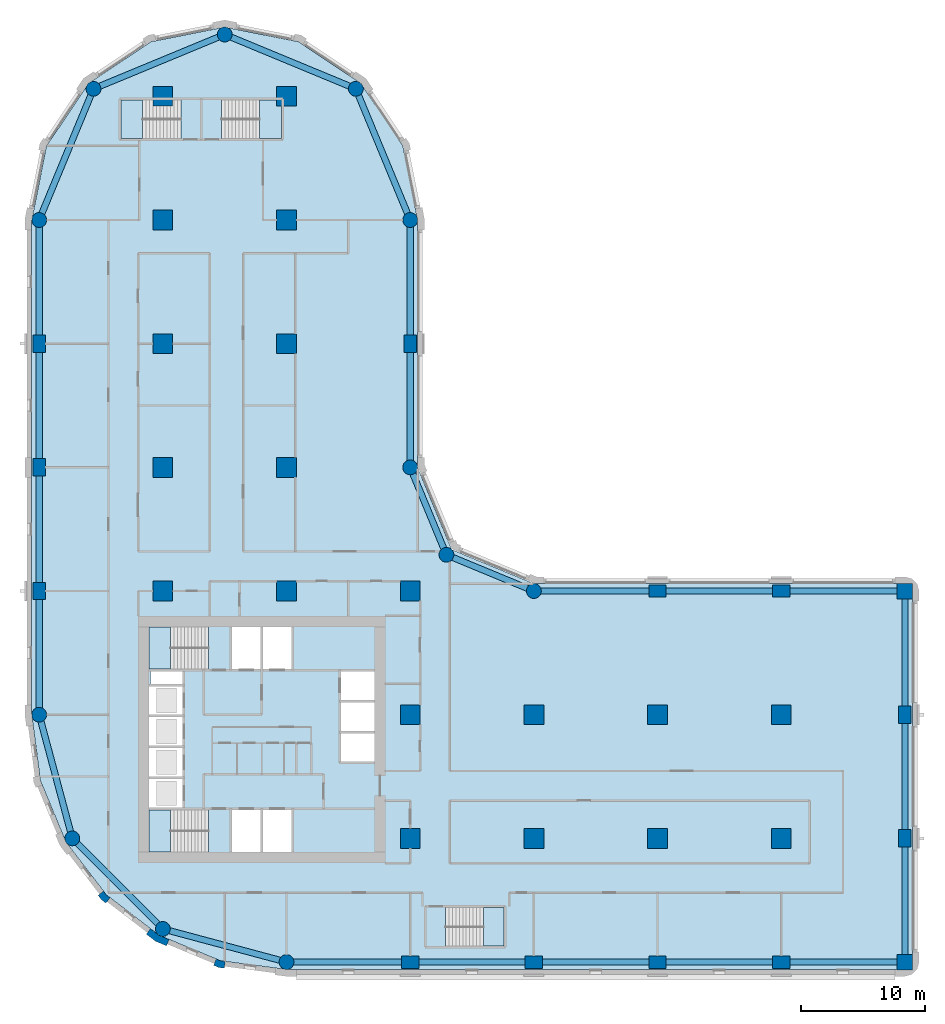
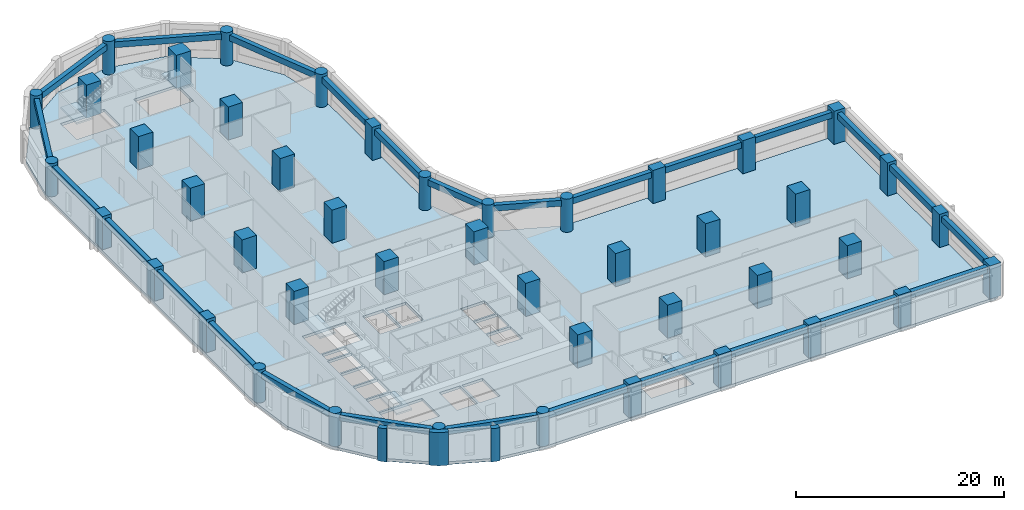
# One storey, part 1 of 10: 45 columns, 26 beams, 6 slabs, 3 walls, 5 elements without a shape of their own.
"""IFC4 building model written with IfcOpenShell, lengths in metres."""

from ifc_helpers import new_model, si_unit, direction, frame, origin, origin_2d, place, context, subcontext, project, spatial, polyline, rectangle, circle, outline, extrude, material, layer, layer_set, material_profile, profile_set, type_object, element, aggregate, save


model = new_model("IFC4")

# Units and contexts
model_context = context("Model", 3, precision=1e-05, world=origin(), true_north=direction((0.0, 1.0)))
body_context = subcontext(model_context, "Body", "Model", "MODEL_VIEW")
ifc_project = project(units=[si_unit("LENGTHUNIT", "METRE"), si_unit("AREAUNIT", "SQUARE_METRE"), si_unit("VOLUMEUNIT", "CUBIC_METRE"), si_unit("PLANEANGLEUNIT", "RADIAN"), si_unit("MASSUNIT", "GRAM", prefix="KILO")], contexts=[model_context])

# Site, building, storey
site_placement = place(None, origin())
site = spatial("IfcSite", under=ifc_project, at=site_placement, CompositionType="ELEMENT")
building_placement = place(site_placement, origin())
building = spatial("IfcBuilding", under=site, at=building_placement, Name="Qaws Garden Tower", CompositionType="ELEMENT")
storey_placement = place(building_placement, frame((0.0, 0.0, 97.800048828125)))
storey = spatial("IfcBuildingStorey", under=building, at=storey_placement, Name="L24", CompositionType="ELEMENT", Elevation=97.800048828125)

# Columns
ifc_material_1 = material(Name="Concrete C80", Category="concrete")
ifc_material_profile_1 = material_profile(ifc_material_1, rectangle(XDim=1.25, YDim=1.25, at=origin_2d()), Name="RC 1250x1250")
ifc_profile_set_1 = profile_set([ifc_material_profile_1], Name="Concrete C80")
column_type_1 = type_object("IfcColumnType", Name="Column RC 1250x1250 C80", PredefinedType="COLUMN", material=ifc_profile_set_1)
for number, where, z_axis, x_axis, name in (
    (1, (70.0, 0.0, 0.0), (0.0, 0.0, 1.0), (1.0, 0.0, 0.0), "Column L24-006"),
    (2, (70.0, 30.0, 0.0), (0.0, 0.0, 1.0), (1.0, 0.0, 0.0), "Column L24-009"),
):
    element("IfcColumn", number, at=place(storey_placement, frame(where, z_axis=z_axis, x_axis=x_axis)), inside=storey, type_object=column_type_1, Name=name, PredefinedType="COLUMN", context=body_context, shape_type="SweptSolid", body=[
        extrude(rectangle(XDim=1.25, YDim=1.25, at=origin_2d()), origin(), (0.0, 0.0, 1.0), 3.89990234375),
    ])
ifc_material_2 = material(Name="Concrete C80", Category="concrete")
ifc_material_profile_2 = material_profile(ifc_material_2, rectangle(XDim=1.39990234375, YDim=1.0, at=origin_2d()), Name="RC 1400x1000")
ifc_profile_set_2 = profile_set([ifc_material_profile_2], Name="Concrete C80")
column_type_2 = type_object("IfcColumnType", Name="Column RC 1400x1000 C80", PredefinedType="COLUMN", material=ifc_profile_set_2)
for number, where, z_axis, x_axis, name in (
    (3, (30.0, 0.0, 0.0), (0.0, 0.0, 1.0), (1.0, 0.0, 0.0), "Column L24-002"),
    (4, (40.0, 0.0, 0.0), (0.0, 0.0, 1.0), (1.0, 0.0, 0.0), "Column L24-003"),
    (5, (50.0, 0.0, 0.0), (0.0, 0.0, 1.0), (1.0, 0.0, 0.0), "Column L24-004"),
    (6, (60.0, 0.0, 0.0), (0.0, 0.0, 1.0), (1.0, 0.0, 0.0), "Column L24-005"),
    (7, (70.0, 10.0, 0.0), (0.0, 0.0, 1.0), (0.0, 1.0, 0.0), "Column L24-007"),
    (8, (70.0, 20.0, 0.0), (0.0, 0.0, 1.0), (0.0, 1.0, 0.0), "Column L24-008"),
    (9, (60.0, 30.0, 0.0), (0.0, 0.0, 1.0), (1.0, 0.0, 0.0), "Column L24-010"),
    (10, (50.0, 30.0, 0.0), (0.0, 0.0, 1.0), (1.0, 0.0, 0.0), "Column L24-011"),
    (11, (30.0, 50.0, 0.0), (0.0, 0.0, 1.0), (0.0, 1.0, 0.0), "Column L24-015"),
    (12, (0.0, 50.0, 0.0), (0.0, 0.0, 1.0), (0.0, 1.0, 0.0), "Column L24-021"),
    (13, (0.0, 40.0, 0.0), (0.0, 0.0, 1.0), (0.0, 1.0, 0.0), "Column L24-022"),
    (14, (0.0, 30.0, 0.0), (0.0, 0.0, 1.0), (0.0, 1.0, 0.0), "Column L24-023"),
):
    element("IfcColumn", number, at=place(storey_placement, frame(where, z_axis=z_axis, x_axis=x_axis)), inside=storey, type_object=column_type_2, Name=name, PredefinedType="COLUMN", context=body_context, shape_type="SweptSolid", body=[
        extrude(rectangle(XDim=1.39990234375, YDim=1.0, at=origin_2d()), origin(), (0.0, 0.0, 1.0), 3.89990234375),
    ])
ifc_material_3 = material(Name="Concrete C80", Category="concrete")
ifc_material_profile_3 = material_profile(ifc_material_3, rectangle(XDim=1.60009765625, YDim=1.60009765625, at=origin_2d()), Name="RC 1600x1600")
ifc_profile_set_3 = profile_set([ifc_material_profile_3], Name="Concrete C80")
column_type_3 = type_object("IfcColumnType", Name="Column RC 1600x1600 C80", PredefinedType="COLUMN", material=ifc_profile_set_3)
for number, where, z_axis, x_axis, name in (
    (15, (10.0, 30.0, 0.0), (0.0, 0.0, 1.0), (1.0, 0.0, 0.0), "Column L24-027"),
    (16, (10.0, 40.0, 0.0), (0.0, 0.0, 1.0), (1.0, 0.0, 0.0), "Column L24-028"),
    (17, (10.0, 50.0, 0.0), (0.0, 0.0, 1.0), (1.0, 0.0, 0.0), "Column L24-029"),
    (18, (10.0, 60.0, 0.0), (0.0, 0.0, 1.0), (1.0, 0.0, 0.0), "Column L24-030"),
    (19, (10.0, 70.0, 0.0), (0.0, 0.0, 1.0), (1.0, 0.0, 0.0), "Column L24-031"),
    (20, (20.0, 30.0, 0.0), (0.0, 0.0, 1.0), (1.0, 0.0, 0.0), "Column L24-032"),
    (21, (20.0, 40.0, 0.0), (0.0, 0.0, 1.0), (1.0, 0.0, 0.0), "Column L24-033"),
    (22, (20.0, 50.0, 0.0), (0.0, 0.0, 1.0), (1.0, 0.0, 0.0), "Column L24-034"),
    (23, (20.0, 60.0, 0.0), (0.0, 0.0, 1.0), (1.0, 0.0, 0.0), "Column L24-035"),
    (24, (20.0, 70.0, 0.0), (0.0, 0.0, 1.0), (1.0, 0.0, 0.0), "Column L24-036"),
    (25, (30.0, 10.0, 0.0), (0.0, 0.0, 1.0), (1.0, 0.0, 0.0), "Column L24-037"),
    (26, (30.0, 20.0, 0.0), (0.0, 0.0, 1.0), (1.0, 0.0, 0.0), "Column L24-038"),
    (27, (30.0, 30.0, 0.0), (0.0, 0.0, 1.0), (1.0, 0.0, 0.0), "Column L24-039"),
    (28, (40.0, 10.0, 0.0), (0.0, 0.0, 1.0), (1.0, 0.0, 0.0), "Column L24-040"),
    (29, (40.0, 20.0, 0.0), (0.0, 0.0, 1.0), (1.0, 0.0, 0.0), "Column L24-041"),
    (30, (50.0, 10.0, 0.0), (0.0, 0.0, 1.0), (1.0, 0.0, 0.0), "Column L24-042"),
    (31, (50.0, 20.0, 0.0), (0.0, 0.0, 1.0), (1.0, 0.0, 0.0), "Column L24-043"),
    (32, (60.0, 10.0, 0.0), (0.0, 0.0, 1.0), (1.0, 0.0, 0.0), "Column L24-044"),
    (33, (60.0, 20.0, 0.0), (0.0, 0.0, 1.0), (1.0, 0.0, 0.0), "Column L24-045"),
):
    element("IfcColumn", number, at=place(storey_placement, frame(where, z_axis=z_axis, x_axis=x_axis)), inside=storey, type_object=column_type_3, Name=name, PredefinedType="COLUMN", context=body_context, shape_type="SweptSolid", body=[
        extrude(rectangle(XDim=1.60009765625, YDim=1.60009765625, at=origin_2d()), origin(), (0.0, 0.0, 1.0), 3.89990234375),
    ])
ifc_material_4 = material(Name="Concrete C80", Category="concrete")
ifc_material_profile_4 = material_profile(ifc_material_4, circle(Radius=0.60009765625, at=origin_2d()), Name="RC D1200")
ifc_profile_set_4 = profile_set([ifc_material_profile_4], Name="Concrete C80")
column_type_4 = type_object("IfcColumnType", Name="Column RC D1200 C80", PredefinedType="COLUMN", material=ifc_profile_set_4)
for number, where, z_axis, x_axis, name in (
    (34, (20.0, 0.0, 0.0), (0.0, 0.0, 1.0), (1.0, 0.0, 0.0), "Column L24-001"),
    (35, (40.0, 30.0, 0.0), (0.0, 0.0, 1.0), (1.0, 0.0, 0.0), "Column L24-012"),
    (36, (32.928955078125, 32.928955078125, 0.0), (0.0, 0.0, 1.0), (1.0, 0.0, 0.0), "Column L24-013"),
    (37, (30.0, 40.0, 0.0), (0.0, 0.0, 1.0), (1.0, 0.0, 0.0), "Column L24-014"),
    (38, (30.0, 60.0, 0.0), (0.0, 0.0, 1.0), (1.0, 0.0, 0.0), "Column L24-016"),
    (39, (25.606689453125, 70.606689453125, 0.0), (0.0, 0.0, 1.0), (1.0, 0.0, 0.0), "Column L24-017"),
    (40, (15.0, 75.0, 0.0), (0.0, 0.0, 1.0), (1.0, 0.0, 0.0), "Column L24-018"),
    (41, (4.393310546875, 70.606689453125, 0.0), (0.0, 0.0, 1.0), (1.0, 0.0, 0.0), "Column L24-019"),
    (42, (0.0, 60.0, 0.0), (0.0, 0.0, 1.0), (1.0, 0.0, 0.0), "Column L24-020"),
    (43, (0.0, 20.0, 0.0), (0.0, 0.0, 1.0), (1.0, 0.0, 0.0), "Column L24-024"),
    (44, (2.679443359375, 10.0, 0.0), (0.0, 0.0, 1.0), (1.0, 0.0, 0.0), "Column L24-025"),
    (45, (10.0, 2.679443359375, 0.0), (0.0, 0.0, 1.0), (1.0, 0.0, 0.0), "Column L24-026"),
):
    element("IfcColumn", number, at=place(storey_placement, frame(where, z_axis=z_axis, x_axis=x_axis)), inside=storey, type_object=column_type_4, Name=name, PredefinedType="COLUMN", context=body_context, shape_type="SweptSolid", body=[
        extrude(circle(Radius=0.60009765625, at=origin_2d()), origin(), (0.0, 0.0, 1.0), 3.89990234375),
    ])

# Beams
ifc_material_5 = material(Name="Concrete C45", Category="concrete")
ifc_material_profile_5 = material_profile(ifc_material_5, rectangle(XDim=0.5, YDim=0.699951171875, at=origin_2d()), Name="RC 500x700")
ifc_profile_set_5 = profile_set([ifc_material_profile_5], Name="Concrete C45")
beam_type = type_object("IfcBeamType", Name="Spandrel beam RC 500x700 C45", PredefinedType="SPANDREL", material=ifc_profile_set_5)
for number, where, z_axis, x_axis, name in (
    (46, (20.0, 0.0, 3.22998046875), (1.0, 0.0, 0.0), (0.0, 1.0, 0.0), "Spandrel beam L24-001"),
    (47, (30.0, 0.0, 3.22998046875), (1.0, 0.0, 0.0), (0.0, 1.0, 0.0), "Spandrel beam L24-002"),
    (48, (40.0, 0.0, 3.22998046875), (1.0, 0.0, 0.0), (0.0, 1.0, 0.0), "Spandrel beam L24-003"),
    (49, (50.0, 0.0, 3.22998046875), (1.0, 0.0, 0.0), (0.0, 1.0, 0.0), "Spandrel beam L24-004"),
    (50, (60.0, 0.0, 3.22998046875), (1.0, 0.0, 0.0), (0.0, 1.0, 0.0), "Spandrel beam L24-005"),
    (51, (70.0, 0.0, 3.22998046875), (0.0, 1.0, 0.0), (-1.0, 0.0, 0.0), "Spandrel beam L24-006"),
    (52, (70.0, 10.0, 3.22998046875), (0.0, 1.0, 0.0), (-1.0, 0.0, 0.0), "Spandrel beam L24-007"),
    (53, (70.0, 20.0, 3.22998046875), (0.0, 1.0, 0.0), (-1.0, 0.0, 0.0), "Spandrel beam L24-008"),
    (54, (70.0, 30.0, 3.22998046875), (-1.0, 0.0, 0.0), (0.0, -1.0, 0.0), "Spandrel beam L24-009"),
    (55, (60.0, 30.0, 3.22998046875), (-1.0, 0.0, 0.0), (0.0, -1.0, 0.0), "Spandrel beam L24-010"),
    (56, (50.0, 30.0, 3.22998046875), (-1.0, 0.0, 0.0), (0.0, -1.0, 0.0), "Spandrel beam L24-011"),
):
    element("IfcBeam", number, at=place(storey_placement, frame(where, z_axis=z_axis, x_axis=x_axis)), inside=storey, type_object=beam_type, Name=name, PredefinedType="SPANDREL", context=body_context, shape_type="SweptSolid", body=[
        extrude(rectangle(XDim=0.5, YDim=0.699951171875, at=origin_2d()), origin(), (0.0, 0.0, 1.0), 10.0),
    ])
for number, where, z_axis, x_axis, name in (
    (57, (40.0, 30.0, 3.22998046875), (-0.923878037141, 0.382687042488, 0.0), (-0.382687042488, -0.923878037141, 0.0), "Spandrel beam L24-012"),
    (58, (32.928955078125, 32.928955078125, 3.22998046875), (-0.382687042488, 0.923878037141, 0.0), (-0.923878037141, -0.382687042488, 0.0), "Spandrel beam L24-013"),
):
    element("IfcBeam", number, at=place(storey_placement, frame(where, z_axis=z_axis, x_axis=x_axis)), inside=storey, type_object=beam_type, Name=name, PredefinedType="SPANDREL", context=body_context, shape_type="SweptSolid", body=[
        extrude(rectangle(XDim=0.5, YDim=0.699951171875, at=origin_2d()), origin(), (0.0, 0.0, 1.0), 7.653564453125),
    ])
for number, where, z_axis, x_axis, name in (
    (59, (30.0, 40.0, 3.22998046875), (0.0, 1.0, 0.0), (-1.0, 0.0, 0.0), "Spandrel beam L24-014"),
    (60, (30.0, 50.0, 3.22998046875), (0.0, 1.0, 0.0), (-1.0, 0.0, 0.0), "Spandrel beam L24-015"),
):
    element("IfcBeam", number, at=place(storey_placement, frame(where, z_axis=z_axis, x_axis=x_axis)), inside=storey, type_object=beam_type, Name=name, PredefinedType="SPANDREL", context=body_context, shape_type="SweptSolid", body=[
        extrude(rectangle(XDim=0.5, YDim=0.699951171875, at=origin_2d()), origin(), (0.0, 0.0, 1.0), 10.0),
    ])
for number, where, z_axis, x_axis, name in (
    (61, (30.0, 60.0, 3.22998046875), (-0.382674207535, 0.923883353507, 0.0), (-0.923883353507, -0.382674207535, 0.0), "Spandrel beam L24-016"),
    (62, (25.606689453125, 70.606689453125, 3.22998046875), (-0.923883353507, 0.382674207535, 0.0), (-0.382674207535, -0.923883353507, 0.0), "Spandrel beam L24-017"),
    (63, (15.0, 75.0, 3.22998046875), (-0.923883353507, -0.382674207535, 0.0), (0.382674207535, -0.923883353507, 0.0), "Spandrel beam L24-018"),
    (64, (4.393310546875, 70.606689453125, 3.22998046875), (-0.382674207535, -0.923883353507, 0.0), (0.923883353507, -0.382674207535, 0.0), "Spandrel beam L24-019"),
):
    element("IfcBeam", number, at=place(storey_placement, frame(where, z_axis=z_axis, x_axis=x_axis)), inside=storey, type_object=beam_type, Name=name, PredefinedType="SPANDREL", context=body_context, shape_type="SweptSolid", body=[
        extrude(rectangle(XDim=0.5, YDim=0.699951171875, at=origin_2d()), origin(), (0.0, 0.0, 1.0), 11.48046875),
    ])
for number, where, z_axis, x_axis, name in (
    (65, (0.0, 60.0, 3.22998046875), (0.0, -1.0, 0.0), (1.0, 0.0, 0.0), "Spandrel beam L24-020"),
    (66, (0.0, 50.0, 3.22998046875), (0.0, -1.0, 0.0), (1.0, 0.0, 0.0), "Spandrel beam L24-021"),
    (67, (0.0, 40.0, 3.22998046875), (0.0, -1.0, 0.0), (1.0, 0.0, 0.0), "Spandrel beam L24-022"),
    (68, (0.0, 30.0, 3.22998046875), (0.0, -1.0, 0.0), (1.0, 0.0, 0.0), "Spandrel beam L24-023"),
):
    element("IfcBeam", number, at=place(storey_placement, frame(where, z_axis=z_axis, x_axis=x_axis)), inside=storey, type_object=beam_type, Name=name, PredefinedType="SPANDREL", context=body_context, shape_type="SweptSolid", body=[
        extrude(rectangle(XDim=0.5, YDim=0.699951171875, at=origin_2d()), origin(), (0.0, 0.0, 1.0), 10.0),
    ])
for number, where, z_axis, x_axis, name in (
    (69, (0.0, 20.0, 3.22998046875), (0.25881466832, -0.965926999034, 0.0), (0.965926999034, 0.25881466832, 0.0), "Spandrel beam L24-024"),
    (70, (2.679443359375, 10.0, 3.22998046875), (0.707106781187, -0.707106781187, 0.0), (0.707106781187, 0.707106781187, 0.0), "Spandrel beam L24-025"),
    (71, (10.0, 2.679443359375, 3.22998046875), (0.965926999034, -0.25881466832, 0.0), (0.25881466832, 0.965926999034, 0.0), "Spandrel beam L24-026"),
):
    element("IfcBeam", number, at=place(storey_placement, frame(where, z_axis=z_axis, x_axis=x_axis)), inside=storey, type_object=beam_type, Name=name, PredefinedType="SPANDREL", context=body_context, shape_type="SweptSolid", body=[
        extrude(rectangle(XDim=0.5, YDim=0.699951171875, at=origin_2d()), origin(), (0.0, 0.0, 1.0), 10.352783203125),
    ])

# Slab
ifc_material_6 = material(Name="Concrete C40", Category="concrete")
ifc_layer_1 = layer(ifc_material_6, 0.320068359375)
ifc_layer_set_1 = layer_set([ifc_layer_1], Name="Concrete C40")
slab_type_1 = type_object("IfcSlabType", Name="Floor slab 320 C40", PredefinedType="FLOOR", material=ifc_layer_set_1)
slab_1_placement = place(storey_placement, frame((0.0, 0.0, -0.320068359375)))
element("IfcSlab", 72, at=slab_1_placement, inside=storey, type_object=slab_type_1, Name="Floor slab L24", PredefinedType="FLOOR", context=body_context, shape_type="SweptSolid", body=[
    extrude(outline(polyline([(0.101806640625, 14.668212890625), (-0.60009765625, 20.0), (-0.60009765625, 30.60009765625), (-0.60009765625, 60.0), (-0.60009765625, 60.0), (0.58740234375, 65.969970703125), (3.968994140625, 71.031005859375), (9.030029296875, 74.41259765625), (15.0, 75.60009765625), (20.969970703125, 74.41259765625), (26.031005859375, 71.031005859375), (29.41259765625, 65.969970703125), (30.60009765625, 60.0), (30.60009765625, 40.0), (33.353271484375, 33.353271484375), (40.0, 30.60009765625), (70.0, 30.60009765625), (70.42431640625, 30.42431640625), (70.60009765625, 30.0), (70.60009765625, 0.0), (70.42431640625, -0.42431640625), (70.0, -0.60009765625), (30.60009765625, -0.60009765625), (20.0, -0.60009765625), (14.668212890625, 0.101806640625), (9.699951171875, 2.159912109375), (5.43359375, 5.43359375), (2.159912109375, 9.699951171875), (0.101806640625, 14.668212890625)]), holes=[polyline([(13.699462890625, 12.300048828125), (8.89990234375, 12.300048828125), (8.89990234375, 8.89990234375), (13.699462890625, 8.89990234375), (13.699462890625, 12.300048828125)]), polyline([(17.89990234375, 12.300048828125), (15.60009765625, 12.300048828125), (15.60009765625, 8.89990234375), (17.89990234375, 8.89990234375), (17.89990234375, 12.300048828125)]), polyline([(11.60009765625, 14.800048828125), (8.89990234375, 14.800048828125), (8.89990234375, 12.5), (11.60009765625, 12.5), (11.60009765625, 14.800048828125)]), polyline([(11.60009765625, 17.300048828125), (8.89990234375, 17.300048828125), (8.89990234375, 15.0), (11.60009765625, 15.0), (11.60009765625, 17.300048828125)]), polyline([(11.60009765625, 19.800048828125), (8.89990234375, 19.800048828125), (8.89990234375, 17.5), (11.60009765625, 17.5), (11.60009765625, 19.800048828125)]), polyline([(11.60009765625, 22.300048828125), (8.89990234375, 22.300048828125), (8.89990234375, 20.0), (11.60009765625, 20.0), (11.60009765625, 22.300048828125)]), polyline([(11.60009765625, 23.5), (9.0, 23.5), (9.0, 22.5), (11.60009765625, 22.5), (11.60009765625, 23.5)]), polyline([(13.699462890625, 27.10009765625), (8.89990234375, 27.10009765625), (8.89990234375, 23.699951171875), (13.699462890625, 23.699951171875), (13.699462890625, 27.10009765625)]), polyline([(11.449462890625, 69.699951171875), (6.60009765625, 69.699951171875), (6.60009765625, 66.60009765625), (11.449462890625, 66.60009765625), (11.449462890625, 69.699951171875)]), polyline([(37.60009765625, 4.39990234375), (32.8505859375, 4.39990234375), (32.8505859375, 1.300048828125), (37.60009765625, 1.300048828125), (37.60009765625, 4.39990234375)]), polyline([(20.39990234375, 12.300048828125), (18.10009765625, 12.300048828125), (18.10009765625, 8.89990234375), (20.39990234375, 8.89990234375), (20.39990234375, 12.300048828125)]), polyline([(27.10009765625, 18.5), (24.39990234375, 18.5), (24.39990234375, 16.199951171875), (27.10009765625, 16.199951171875), (27.10009765625, 18.5)]), polyline([(27.10009765625, 21.0), (24.39990234375, 21.0), (24.39990234375, 18.699951171875), (27.10009765625, 18.699951171875), (27.10009765625, 21.0)]), polyline([(27.10009765625, 23.5), (24.39990234375, 23.5), (24.39990234375, 21.199951171875), (27.10009765625, 21.199951171875), (27.10009765625, 23.5)]), polyline([(17.89990234375, 27.10009765625), (15.60009765625, 27.10009765625), (15.60009765625, 23.699951171875), (17.89990234375, 23.699951171875), (17.89990234375, 27.10009765625)]), polyline([(20.39990234375, 23.699951171875), (20.39990234375, 27.10009765625), (18.10009765625, 27.10009765625), (18.10009765625, 23.699951171875), (20.39990234375, 23.699951171875)]), polyline([(19.60009765625, 66.60009765625), (19.60009765625, 69.699951171875), (14.75048828125, 69.699951171875), (14.75048828125, 66.60009765625), (19.60009765625, 66.60009765625)])]), origin(), (0.0, 0.0, 1.0), 0.320068359375),
])

# Stair, slab
ifc_material_7 = material(Name="Concrete C40", Category="concrete")
stair_type_1 = type_object("IfcStairType", Name="Exit stair 1500", PredefinedType="HALF_TURN_STAIR", material=ifc_material_7)
placement_1 = place(storey_placement, origin())
stair_1 = element("IfcStair", 73, at=placement_1, inside=storey, type_object=stair_type_1, Name="Stair 1", PredefinedType="HALF_TURN_STAIR")
ifc_material_8 = material(Name="Concrete C40", Category="concrete")
ifc_layer_2 = layer(ifc_material_8, 0.199951171875)
ifc_layer_set_2 = layer_set([ifc_layer_2], Name="Concrete C40")
slab_type_2 = type_object("IfcSlabType", Name="Stair landing 200", PredefinedType="LANDING", material=ifc_layer_set_2)
placement_2 = place(storey_placement, frame((0.0, 0.0, 1.75)))
slab_2 = element("IfcSlab", 74, at=placement_2, type_object=slab_type_2, Name="ST1 landing 1", PredefinedType="LANDING", context=body_context, shape_type="SweptSolid", body=[
    extrude(outline(polyline([(8.89990234375, 8.89990234375), (10.6201171875, 8.89990234375), (10.6201171875, 12.300048828125), (8.89990234375, 12.300048828125), (8.89990234375, 8.89990234375)])), origin(), (0.0, 0.0, 1.0), 0.199951171875),
])
aggregate(stair_1, [slab_2])

stair_2 = element("IfcStair", 75, at=placement_1, inside=storey, type_object=stair_type_1, Name="Stair 4", PredefinedType="HALF_TURN_STAIR")
slab_3 = element("IfcSlab", 76, at=placement_2, type_object=slab_type_2, Name="ST4 landing 1", PredefinedType="LANDING", context=body_context, shape_type="SweptSolid", body=[
    extrude(outline(polyline([(8.89990234375, 23.699951171875), (10.6201171875, 23.699951171875), (10.6201171875, 27.10009765625), (8.89990234375, 27.10009765625), (8.89990234375, 23.699951171875)])), origin(), (0.0, 0.0, 1.0), 0.199951171875),
])
aggregate(stair_2, [slab_3])

ifc_material_9 = material(Name="Concrete C40", Category="concrete")
stair_type_2 = type_object("IfcStairType", Name="Exit stair 1350", PredefinedType="HALF_TURN_STAIR", material=ifc_material_9)
stair_3 = element("IfcStair", 77, at=placement_1, inside=storey, type_object=stair_type_2, Name="Stair 5", PredefinedType="HALF_TURN_STAIR")
slab_4 = element("IfcSlab", 78, at=placement_2, type_object=slab_type_2, Name="ST5 landing 1", PredefinedType="LANDING", context=body_context, shape_type="SweptSolid", body=[
    extrude(outline(polyline([(35.929931640625, 1.300048828125), (37.60009765625, 1.300048828125), (37.60009765625, 4.39990234375), (35.929931640625, 4.39990234375), (35.929931640625, 1.300048828125)])), origin(), (0.0, 0.0, 1.0), 0.199951171875),
])
aggregate(stair_3, [slab_4])

stair_4 = element("IfcStair", 79, at=placement_1, inside=storey, type_object=stair_type_2, Name="Stair 6", PredefinedType="HALF_TURN_STAIR")
slab_5 = element("IfcSlab", 80, at=placement_2, type_object=slab_type_2, Name="ST6 landing 1", PredefinedType="LANDING", context=body_context, shape_type="SweptSolid", body=[
    extrude(outline(polyline([(6.60009765625, 66.60009765625), (8.3701171875, 66.60009765625), (8.3701171875, 69.699951171875), (6.60009765625, 69.699951171875), (6.60009765625, 66.60009765625)])), origin(), (0.0, 0.0, 1.0), 0.199951171875),
])
aggregate(stair_4, [slab_5])

stair_5 = element("IfcStair", 81, at=placement_1, inside=storey, type_object=stair_type_2, Name="Stair 7", PredefinedType="HALF_TURN_STAIR")
slab_6 = element("IfcSlab", 82, at=placement_2, type_object=slab_type_2, Name="ST7 landing 1", PredefinedType="LANDING", context=body_context, shape_type="SweptSolid", body=[
    extrude(outline(polyline([(17.830078125, 66.60009765625), (19.60009765625, 66.60009765625), (19.60009765625, 69.699951171875), (17.830078125, 69.699951171875), (17.830078125, 66.60009765625)])), origin(), (0.0, 0.0, 1.0), 0.199951171875),
])
aggregate(stair_5, [slab_6])

# Walls
ifc_material_10 = material(Name="Clay facing brick masonry", Category="masonry")
ifc_layer_3 = layer(ifc_material_10, 0.550048828125)
ifc_layer_set_3 = layer_set([ifc_layer_3], Name="Clay facing brick masonry")
wall_type_1 = type_object("IfcWallType", Name="Brick kink pier 550 x 600", PredefinedType="SOLIDWALL", material=ifc_layer_set_3)
element("IfcWall", 83, at=placement_1, inside=storey, type_object=wall_type_1, Name="E-L24-pier-30", PredefinedType="SOLIDWALL", context=body_context, shape_type="SweptSolid", body=[
    extrude(outline(polyline([(4.8818359375, 5.487060546875), (4.762939453125, 5.395751953125), (5.03759765625, 5.03759765625), (5.395751953125, 4.762939453125), (5.487060546875, 4.8818359375), (5.730712890625, 5.19921875), (5.429931640625, 5.429931640625), (5.19921875, 5.730712890625), (4.8818359375, 5.487060546875)])), origin(), (0.0, 0.0, 1.0), 3.89990234375),
])
element("IfcWall", 84, at=placement_1, inside=storey, type_object=wall_type_1, Name="E-L24-pier-32", PredefinedType="SOLIDWALL", context=body_context, shape_type="SweptSolid", body=[
    extrude(outline(polyline([(14.163818359375, -0.127685546875), (14.1064453125, -0.26611328125), (14.5234375, -0.43896484375), (14.970947265625, -0.497802734375), (14.990478515625, -0.34912109375), (15.042724609375, 0.04736328125), (14.6669921875, 0.096923828125), (14.31689453125, 0.241943359375), (14.163818359375, -0.127685546875)])), origin(), (0.0, 0.0, 1.0), 3.89990234375),
])
ifc_material_11 = material(Name="Clay facing brick masonry", Category="masonry")
ifc_layer_4 = layer(ifc_material_11, 0.550048828125)
ifc_layer_set_4 = layer_set([ifc_layer_4], Name="Clay facing brick masonry")
wall_type_2 = type_object("IfcWallType", Name="Brick pier 550 x 1600", PredefinedType="SOLIDWALL", material=ifc_layer_set_4)
element("IfcWall", 85, at=placement_1, inside=storey, type_object=wall_type_2, Name="E-L24-pier-31", PredefinedType="SOLIDWALL", context=body_context, shape_type="SweptSolid", body=[
    extrude(outline(polyline([(8.756591796875, 2.373046875), (8.665283203125, 2.254150390625), (9.419921875, 1.675048828125), (10.299072265625, 1.310791015625), (10.3564453125, 1.449462890625), (10.509521484375, 1.819091796875), (9.697509765625, 2.1552734375), (9.0, 2.6904296875), (8.756591796875, 2.373046875)])), origin(), (0.0, 0.0, 1.0), 3.89990234375),
])

save(model, "model.ifc")
